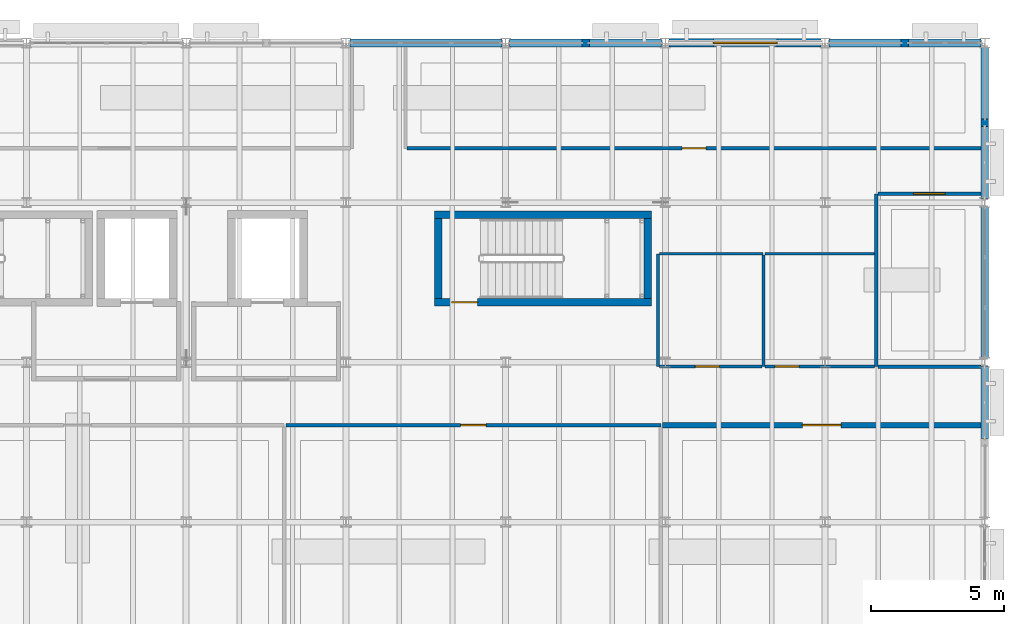
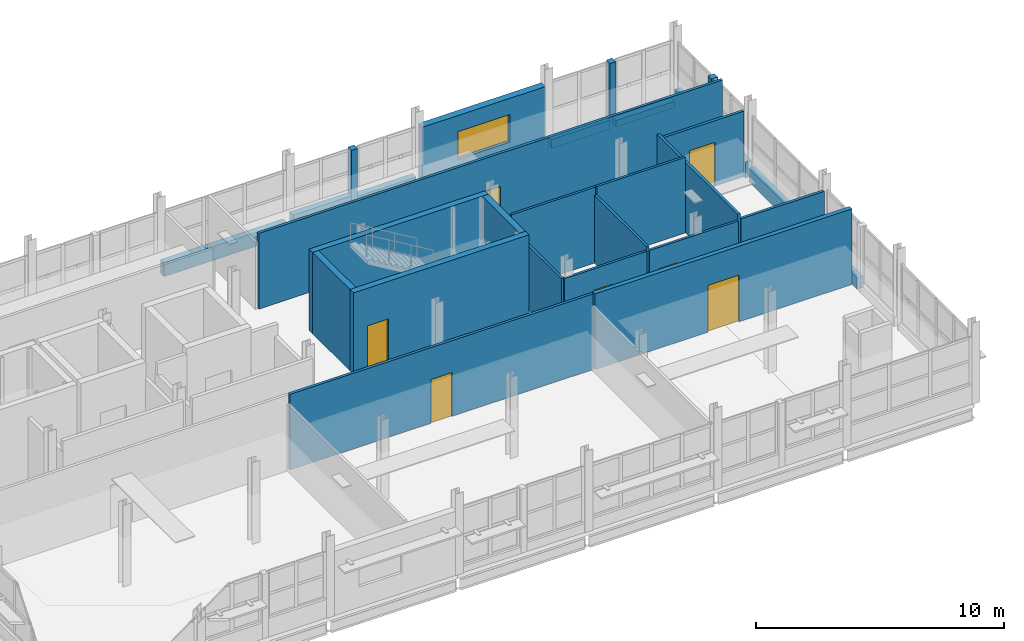
# One storey, part 78 of 92: 29 walls, 7 doors, 1 window, 8 openings.
"""IFC4 building model written with IfcOpenShell, lengths in metres."""

import ifcopenshell
import ifcopenshell.guid

model = None  # the IFC model being written
_history = None  # IfcOwnerHistory: only IFC2X3 demands one
_inside = {}  # id of a spatial element -> (the spatial element, [elements in it])
_under = {}  # id of a project, library or spatial element -> (it, [spatial elements below it])
_declared = {}  # id of a project -> (the project, [libraries it declares])
_typed = {}  # id of a type object -> (the type object, [elements of that type])
_made_of = {}  # id of a material, layer set ... -> (it, [elements and type objects made of it])


def new_model(schema):
    """Start an empty IFC model of exactly this schema.

    Asked for "IFC4X3", IfcOpenShell would pick the latest addendum, in which some entities
    have other attributes; the version numbers below select the first issue.
    IFC2X3 requires an IfcOwnerHistory on every rooted entity: one is made here for all.
    """
    global model, _history
    if schema == "IFC4X3":
        model = ifcopenshell.file(schema_version=(4, 3, 0, 0))
    else:
        model = ifcopenshell.file(schema=schema)
    _inside.clear()
    _under.clear()
    _declared.clear()
    _typed.clear()
    _made_of.clear()
    _history = None
    if model.schema == "IFC2X3":
        org = make("IfcOrganization", Name="unknown")
        user = make(
            "IfcPersonAndOrganization",
            ThePerson=make("IfcPerson", FamilyName="unknown"),
            TheOrganization=org,
        )
        app = make(
            "IfcApplication",
            ApplicationDeveloper=org,
            Version="unknown",
            ApplicationFullName="unknown",
            ApplicationIdentifier="unknown",
        )
        _history = make(
            "IfcOwnerHistory",
            OwningUser=user,
            OwningApplication=app,
            ChangeAction="ADDED",
            CreationDate=0,
        )
    return model


def make(cls, **values):
    """One entity of the class cls with the attributes given. An attribute that is None is left unset."""
    return model.create_entity(
        cls, **{name: value for name, value in values.items() if value is not None}
    )


def rooted(cls, **values):
    """An entity with a GlobalId (a new one), such as an element, a storey or a relation."""
    return make(cls, GlobalId=ifcopenshell.guid.new(), OwnerHistory=_history, **values)


def si_unit(unit_type, name, prefix=None):
    """IfcSIUnit, for example si_unit("LENGTHUNIT", "METRE", prefix="MILLI")."""
    return make("IfcSIUnit", UnitType=unit_type, Prefix=prefix, Name=name)


def assignment(units):
    """IfcUnitAssignment: the units of a project."""
    return None if units is None else make("IfcUnitAssignment", Units=units)


def point(xyz):
    """IfcCartesianPoint."""
    return None if xyz is None else make("IfcCartesianPoint", Coordinates=xyz)


def direction(xyz):
    """IfcDirection."""
    return None if xyz is None else make("IfcDirection", DirectionRatios=xyz)


def frame(location, z_axis=None, x_axis=None):
    """IfcAxis2Placement3D, a coordinate frame: its origin and axes. An axis left out is left unset."""
    return make(
        "IfcAxis2Placement3D",
        Location=point(location),
        Axis=direction(z_axis),
        RefDirection=direction(x_axis),
    )


def frame_2d(location, x_axis=None):
    """IfcAxis2Placement2D, a coordinate frame in the plane: its origin and x axis."""
    return make(
        "IfcAxis2Placement2D", Location=point(location), RefDirection=direction(x_axis)
    )


def origin():
    """The frame at (0, 0, 0) with its axes left unset."""
    return frame((0.0, 0.0, 0.0))


def place(relative_to, where):
    """IfcLocalPlacement: puts the frame where relative to a parent placement (None: the world)."""
    return make(
        "IfcLocalPlacement", PlacementRelTo=relative_to, RelativePlacement=where
    )


def context(
    kind, dimensions, precision=None, world=None, true_north=None, identifier=None
):
    """IfcGeometricRepresentationContext, for example the 3D "Model" context."""
    return make(
        "IfcGeometricRepresentationContext",
        ContextIdentifier=identifier,
        ContextType=kind,
        CoordinateSpaceDimension=dimensions,
        Precision=precision,
        WorldCoordinateSystem=world,
        TrueNorth=true_north,
    )


def subcontext(parent, identifier, kind, view, scale=None):
    """IfcGeometricRepresentationSubContext, for example "Body" below "Model"."""
    return make(
        "IfcGeometricRepresentationSubContext",
        ContextIdentifier=identifier,
        ContextType=kind,
        ParentContext=parent,
        TargetScale=scale,
        TargetView=view,
    )


def project(units=None, contexts=None):
    """IfcProject with its units and contexts."""
    return rooted(
        "IfcProject",
        Name="project",
        RepresentationContexts=contexts,
        UnitsInContext=assignment(units),
    )


def spatial(cls, under=None, at=None, **own):
    """A site, building, storey or space (cls), placed at a placement, below another one or the project."""
    s = rooted(cls, ObjectPlacement=at, **own)
    if under is not None:
        _under.setdefault(under.id(), (under, []))[1].append(s)
    return s


def profile(cls, at=None, kind="AREA", **sizes):
    """A parametric profile (cls). Its sizes go by their IFC names, for example OverallWidth=200.0."""
    return make(cls, ProfileType=kind, Position=at, **sizes)


def rectangle(**sizes):
    """IfcRectangleProfileDef."""
    return profile("IfcRectangleProfileDef", **sizes)


def extrude(swept, where, along, depth):
    """IfcExtrudedAreaSolid: the profile swept, set in the frame where, extruded along a direction by depth."""
    return make(
        "IfcExtrudedAreaSolid",
        SweptArea=swept,
        Position=where,
        ExtrudedDirection=direction(along),
        Depth=depth,
    )


def shape(context_of_items, identifier, shape_type, items):
    """IfcShapeRepresentation: the items that make up one representation, for example the "Body"."""
    return make(
        "IfcShapeRepresentation",
        ContextOfItems=context_of_items,
        RepresentationIdentifier=identifier,
        RepresentationType=shape_type,
        Items=items,
    )


def material(Name=None, Category=None):
    """IfcMaterial."""
    return make("IfcMaterial", Name=Name, Category=Category)


def layer(
    of_material, thickness, ventilated=None, Name=None, Category=None, Priority=None
):
    """IfcMaterialLayer: one layer of a wall or slab, of a material (None: an air gap)."""
    return make(
        "IfcMaterialLayer",
        Material=of_material,
        LayerThickness=thickness,
        IsVentilated=ventilated,
        Name=Name,
        Category=Category,
        Priority=Priority,
    )


def layer_set(layers, Name=None):
    """IfcMaterialLayerSet."""
    return make("IfcMaterialLayerSet", MaterialLayers=layers, LayerSetName=Name)


def made_of(thing, what):
    """Note that an element or type object is made of a material, layer set ...; save() writes the relation."""
    if what is not None:
        _made_of.setdefault(what.id(), (what, []))[1].append(thing)
    return thing


def type_object(cls, material=None, **own):
    """A type object (cls), such as IfcWallType, which elements share."""
    return made_of(rooted(cls, **own), material)


def element(
    cls,
    number,
    at=None,
    inside=None,
    cuts=None,
    type_object=None,
    material=None,
    context=None,
    identifier="Body",
    shape_type=None,
    held_by="IfcProductDefinitionShape",
    body=None,
    shapes=None,
    **own,
):
    """One element of the class cls, such as IfcWall. Its Tag is "e" and its number.

    at: its placement. inside: the storey or other place that contains it. cuts: it is an
    opening in that element (IfcRelVoidsElement). A single representation is given by context,
    identifier, shape_type and body (its items); several are given by shapes. held_by: the class
    of the entity that holds the representations. save() writes the other relations.
    """
    e = rooted(cls, Tag="e%d" % number, ObjectPlacement=at, **own)
    if body is not None:
        shapes = [shape(context, identifier, shape_type, body)]
    if shapes is not None:
        e.Representation = make(held_by, Representations=shapes)
    if inside is not None:
        _inside.setdefault(inside.id(), (inside, []))[1].append(e)
    if cuts is not None:
        rooted(
            "IfcRelVoidsElement", RelatingBuildingElement=cuts, RelatedOpeningElement=e
        )
    if type_object is not None:
        _typed.setdefault(type_object.id(), (type_object, []))[1].append(e)
    return made_of(e, material)


def fill(opening, filler):
    """IfcRelFillsElement: the door or window that sits in an opening."""
    return rooted(
        "IfcRelFillsElement",
        RelatingOpeningElement=opening,
        RelatedBuildingElement=filler,
    )


def aggregate(whole, parts):
    """IfcRelAggregates: a whole, such as a stair, and the parts it consists of."""
    return rooted("IfcRelAggregates", RelatingObject=whole, RelatedObjects=parts)


def save(model, path):
    """Write the relations noted so far, then the file.

    IfcRelAggregates (storeys below a building ...), IfcRelContainedInSpatialStructure (elements
    in a storey), IfcRelDefinesByType, IfcRelAssociatesMaterial and IfcRelDeclares: one each for
    every whole, place, type object, material and project.
    """
    for whole, parts in _under.values():
        aggregate(whole, parts)
    for where, things in _inside.values():
        rooted(
            "IfcRelContainedInSpatialStructure",
            RelatedElements=things,
            RelatingStructure=where,
        )
    for kind, things in _typed.values():
        rooted("IfcRelDefinesByType", RelatedObjects=things, RelatingType=kind)
    for what, things in _made_of.values():
        rooted("IfcRelAssociatesMaterial", RelatedObjects=things, RelatingMaterial=what)
    for by, libraries in _declared.values():
        rooted("IfcRelDeclares", RelatingContext=by, RelatedDefinitions=libraries)
    model.write(path)


model = new_model("IFC4")

# Units and contexts
model_context = context("Model", 3, precision=1e-05, world=origin(), true_north=direction((0.0, 1.0)))
body_context = subcontext(model_context, "Body", "Model", "MODEL_VIEW")
ifc_project = project(units=[si_unit("LENGTHUNIT", "METRE"), si_unit("AREAUNIT", "SQUARE_METRE"), si_unit("VOLUMEUNIT", "CUBIC_METRE"), si_unit("PLANEANGLEUNIT", "RADIAN"), si_unit("MASSUNIT", "GRAM", prefix="KILO")], contexts=[model_context])

# Site, building, storey
site_placement = place(None, origin())
site = spatial("IfcSite", under=ifc_project, at=site_placement, CompositionType="ELEMENT")
building_placement = place(site_placement, origin())
building = spatial("IfcBuilding", under=site, at=building_placement, Name="Siltcreek Boulevard Central Fire Station", CompositionType="ELEMENT")
storey_placement = place(building_placement, frame((0.0, 0.0, 6.0)))
storey = spatial("IfcBuildingStorey", under=building, at=storey_placement, Name="L02", CompositionType="ELEMENT", Elevation=6.0)

# Wall, opening, door
ifc_material_1 = material(Name="Concrete C40/50", Category="concrete")
ifc_layer_1 = layer(ifc_material_1, 0.280029296875, Name="Concrete C40/50")
ifc_layer_set_1 = layer_set([ifc_layer_1], Name="Concrete C40/50")
wall_type_1 = type_object("IfcWallType", Name="CW_SHEAR280", PredefinedType="SHEAR", material=ifc_layer_set_1)
wall_1_placement = place(storey_placement, frame((145.52001953125, 102.4599609375, 0.0), z_axis=(0.0, 0.0, 1.0), x_axis=(1.0, 0.0, 0.0)))
wall_1 = element("IfcWall", 1, at=wall_1_placement, inside=storey, type_object=wall_type_1, Name="L02 ST-V5B stair enclosure south shear wall", PredefinedType="SHEAR", context=body_context, shape_type="SweptSolid", body=[
    extrude(rectangle(XDim=8.159912109375, YDim=0.280029296875, at=frame_2d((4.080078125, 0.0))), origin(), (0.0, 0.0, 1.0), 4.0),
])
opening_1_placement = place(wall_1_placement, frame((0.64990234375, 0.0, 0.0)))
opening_1 = element("IfcOpeningElement", 2, at=opening_1_placement, cuts=wall_1, Name="Opening SD-040", PredefinedType="OPENING", context=body_context, shape_type="SweptSolid", body=[
    extrude(rectangle(XDim=0.97998046875, YDim=2.14990234375, at=frame_2d((0.489990234375, 1.074951171875))), frame((0.0, 0.14990234375, 0.0), z_axis=(0.0, -1.0, 0.0), x_axis=(1.0, 0.0, 0.0)), (0.0, 0.0, 1.0), 0.300048828125),
])
ifc_material_2 = material(Name="Hollow metal 90-min enclosed stair door")
door_type_1 = type_object("IfcDoorType", Name="DR_ST_098X215", OperationType="NOTDEFINED", PredefinedType="DOOR", material=ifc_material_2)
door_1_placement = place(opening_1_placement, origin())
door_1 = element("IfcDoor", 3, at=door_1_placement, inside=storey, type_object=door_type_1, Name="L02 ST-V5B enclosed exit stair door SD-040", OperationType="SINGLE_SWING_LEFT", OverallHeight=2.14990234375, OverallWidth=0.97998046875, PredefinedType="DOOR", context=body_context, shape_type="SweptSolid", body=[
    extrude(rectangle(XDim=0.97998046875, YDim=2.14990234375, at=frame_2d((0.489990234375, 1.074951171875))), frame((0.0, 0.02490234375, 0.0), z_axis=(0.0, -1.0, 0.0), x_axis=(1.0, 0.0, 0.0)), (0.0, 0.0, 1.0), 0.050048828125),
])
fill(opening_1, door_1)

# Walls
wall_2_placement = place(storey_placement, frame((153.679931640625, 105.739990234375, 0.0), z_axis=(0.0, 0.0, 1.0), x_axis=(-1.0, 0.0, 0.0)))
element("IfcWall", 4, at=wall_2_placement, inside=storey, type_object=wall_type_1, Name="L02 ST-V5B stair enclosure north shear wall", PredefinedType="SHEAR", context=body_context, shape_type="SweptSolid", body=[
    extrude(rectangle(XDim=8.159912109375, YDim=0.280029296875, at=frame_2d((4.080078125, 0.0))), origin(), (0.0, 0.0, 1.0), 4.0),
])
for number, where, z_axis, x_axis, name in (
    (5, (145.659912109375, 105.60009765625, 0.0), (0.0, 0.0, 1.0), (0.0, -1.0, 0.0), "L02 ST-V5B stair enclosure west shear wall"),
    (6, (153.5400390625, 102.60009765625, 0.0), (0.0, 0.0, 1.0), (0.0, 1.0, 0.0), "L02 ST-V5B stair enclosure east shear wall"),
):
    element("IfcWall", number, at=place(storey_placement, frame(where, z_axis=z_axis, x_axis=x_axis)), inside=storey, type_object=wall_type_1, Name=name, PredefinedType="SHEAR", context=body_context, shape_type="SweptSolid", body=[
        extrude(rectangle(XDim=3.0, YDim=0.280029296875, at=frame_2d((1.5, 0.0))), origin(), (0.0, 0.0, 1.0), 4.0),
    ])
ifc_material_3 = material(Name="White ribbed aluminum spandrel wall", Category="aluminium")
ifc_layer_2 = layer(ifc_material_3, 0.2900390625, Name="White ribbed aluminum spandrel wall")
ifc_layer_set_2 = layer_set([ifc_layer_2], Name="White ribbed aluminum spandrel wall")
wall_type_2 = type_object("IfcWallType", Name="EW_METAL290", PredefinedType="STANDARD", material=ifc_layer_set_2)
wall_3_placement = place(storey_placement, frame((148.054931640625, 112.199951171875, 0.0), z_axis=(0.0, 0.0, 1.0), x_axis=(-1.0, 0.0, 0.0)))
element("IfcWall", 7, at=wall_3_placement, inside=storey, type_object=wall_type_2, Name="L02 V5 curtain-wall sill spandrel 0349", PredefinedType="STANDARD", context=body_context, shape_type="SweptSolid", body=[
    extrude(rectangle(XDim=5.7099609375, YDim=0.2900390625, at=frame_2d((2.85498046875, 0.0))), origin(), (0.0, 0.0, 1.0), 0.679931640625),
])
wall_4_placement = place(storey_placement, frame((151.340087890625, 112.199951171875, 0.0), z_axis=(0.0, 0.0, 1.0), x_axis=(-1.0, 0.0, 0.0)))
element("IfcWall", 8, at=wall_4_placement, inside=storey, type_object=wall_type_2, Name="L02 V5 facade pier 0350", PredefinedType="STANDARD", context=body_context, shape_type="SweptSolid", body=[
    extrude(rectangle(XDim=0.280029296875, YDim=0.2900390625, at=frame_2d((0.14013671875, 0.0))), origin(), (0.0, 0.0, 1.0), 3.153076171875),
])
wall_5_placement = place(storey_placement, frame((154.054931640625, 112.199951171875, 0.0), z_axis=(0.0, 0.0, 1.0), x_axis=(-1.0, 0.0, 0.0)))
element("IfcWall", 9, at=wall_5_placement, inside=storey, type_object=wall_type_2, Name="L02 V5 curtain-wall sill spandrel 0351", PredefinedType="STANDARD", context=body_context, shape_type="SweptSolid", body=[
    extrude(rectangle(XDim=2.71484375, YDim=0.2900390625, at=frame_2d((1.357421875, 0.0))), origin(), (0.0, 0.0, 1.0), 0.800048828125),
])
wall_6_placement = place(storey_placement, frame((151.06005859375, 112.199951171875, 0.0), z_axis=(0.0, 0.0, 1.0), x_axis=(-1.0, 0.0, 0.0)))
element("IfcWall", 10, at=wall_6_placement, inside=storey, type_object=wall_type_2, Name="L02 V5 curtain-wall sill spandrel 0352", PredefinedType="STANDARD", context=body_context, shape_type="SweptSolid", body=[
    extrude(rectangle(XDim=2.715087890625, YDim=0.2900390625, at=frame_2d((1.357421875, 0.0))), origin(), (0.0, 0.0, 1.0), 0.919921875),
])
wall_7_placement = place(storey_placement, frame((163.340087890625, 112.199951171875, 0.0), z_axis=(0.0, 0.0, 1.0), x_axis=(-1.0, 0.0, 0.0)))
element("IfcWall", 11, at=wall_7_placement, inside=storey, type_object=wall_type_2, Name="L02 V5 facade pier 0354", PredefinedType="STANDARD", context=body_context, shape_type="SweptSolid", body=[
    extrude(rectangle(XDim=0.280029296875, YDim=0.2900390625, at=frame_2d((0.14013671875, 0.0))), origin(), (0.0, 0.0, 1.0), 3.222900390625),
])
wall_8_placement = place(storey_placement, frame((166.054931640625, 112.199951171875, 0.0), z_axis=(0.0, 0.0, 1.0), x_axis=(-1.0, 0.0, 0.0)))
element("IfcWall", 12, at=wall_8_placement, inside=storey, type_object=wall_type_2, Name="L02 V5 curtain-wall sill spandrel 0355", PredefinedType="STANDARD", context=body_context, shape_type="SweptSolid", body=[
    extrude(rectangle(XDim=2.71484375, YDim=0.2900390625, at=frame_2d((1.357421875, 0.0))), origin(), (0.0, 0.0, 1.0), 0.320068359375),
])
wall_9_placement = place(storey_placement, frame((163.06005859375, 112.199951171875, 0.0), z_axis=(0.0, 0.0, 1.0), x_axis=(-1.0, 0.0, 0.0)))
element("IfcWall", 13, at=wall_9_placement, inside=storey, type_object=wall_type_2, Name="L02 V5 curtain-wall sill spandrel 0356", PredefinedType="STANDARD", context=body_context, shape_type="SweptSolid", body=[
    extrude(rectangle(XDim=2.715087890625, YDim=0.2900390625, at=frame_2d((1.357421875, 0.0))), origin(), (0.0, 0.0, 1.0), 0.43994140625),
])
wall_10_placement = place(storey_placement, frame((166.199951171875, 97.340087890625, 0.0), z_axis=(0.0, 0.0, 1.0), x_axis=(0.0, 1.0, 0.0)))
element("IfcWall", 14, at=wall_10_placement, inside=storey, type_object=wall_type_2, Name="L02 V5 curtain-wall sill spandrel 0366", PredefinedType="STANDARD", context=body_context, shape_type="SweptSolid", body=[
    extrude(rectangle(XDim=2.71484375, YDim=0.2900390625, at=frame_2d((1.357421875, 0.0))), origin(), (0.0, 0.0, 1.0), 0.56005859375),
])
wall_11_placement = place(storey_placement, frame((166.199951171875, 100.344970703125, 0.0), z_axis=(0.0, 0.0, 1.0), x_axis=(0.0, 1.0, 0.0)))
element("IfcWall", 15, at=wall_11_placement, inside=storey, type_object=wall_type_2, Name="L02 V5 curtain-wall sill spandrel 0367", PredefinedType="STANDARD", context=body_context, shape_type="SweptSolid", body=[
    extrude(rectangle(XDim=5.7099609375, YDim=0.2900390625, at=frame_2d((2.85498046875, 0.0))), origin(), (0.0, 0.0, 1.0), 0.679931640625),
])
wall_12_placement = place(storey_placement, frame((166.199951171875, 109.06005859375, 0.0), z_axis=(0.0, 0.0, 1.0), x_axis=(0.0, 1.0, 0.0)))
element("IfcWall", 16, at=wall_12_placement, inside=storey, type_object=wall_type_2, Name="L02 V5 facade pier 0368", PredefinedType="STANDARD", context=body_context, shape_type="SweptSolid", body=[
    extrude(rectangle(XDim=0.280029296875, YDim=0.2900390625, at=frame_2d((0.14013671875, 0.0))), origin(), (0.0, 0.0, 1.0), 3.22705078125),
])
wall_13_placement = place(storey_placement, frame((166.199951171875, 106.344970703125, 0.0), z_axis=(0.0, 0.0, 1.0), x_axis=(0.0, 1.0, 0.0)))
element("IfcWall", 17, at=wall_13_placement, inside=storey, type_object=wall_type_2, Name="L02 V5 curtain-wall sill spandrel 0369", PredefinedType="STANDARD", context=body_context, shape_type="SweptSolid", body=[
    extrude(rectangle(XDim=2.715087890625, YDim=0.2900390625, at=frame_2d((1.357421875, 0.0))), origin(), (0.0, 0.0, 1.0), 0.800048828125),
])
wall_14_placement = place(storey_placement, frame((166.199951171875, 109.340087890625, 0.0), z_axis=(0.0, 0.0, 1.0), x_axis=(0.0, 1.0, 0.0)))
element("IfcWall", 18, at=wall_14_placement, inside=storey, type_object=wall_type_2, Name="L02 V5 curtain-wall sill spandrel 0370", PredefinedType="STANDARD", context=body_context, shape_type="SweptSolid", body=[
    extrude(rectangle(XDim=2.71484375, YDim=0.2900390625, at=frame_2d((1.357421875, 0.0))), origin(), (0.0, 0.0, 1.0), 0.919921875),
])

# Wall, opening, window
ifc_material_4 = material(Name="White ribbed aluminum insulated rainscreen panel", Category="aluminium")
ifc_layer_3 = layer(ifc_material_4, 0.320068359375, Name="White ribbed aluminum insulated rainscreen panel")
ifc_layer_set_3 = layer_set([ifc_layer_3], Name="White ribbed aluminum insulated rainscreen panel")
wall_type_3 = type_object("IfcWallType", Name="EW_METAL320", PredefinedType="STANDARD", material=ifc_layer_set_3)
wall_15_placement = place(storey_placement, frame((160.054931640625, 112.199951171875, 0.0), z_axis=(0.0, 0.0, 1.0), x_axis=(-1.0, 0.0, 0.0)))
wall_15 = element("IfcWall", 19, at=wall_15_placement, inside=storey, type_object=wall_type_3, Name="L02 V5 exterior insulated rainscreen wall WL-EXT-L02-0353", PredefinedType="STANDARD", context=body_context, shape_type="SweptSolid", body=[
    extrude(rectangle(XDim=5.7099609375, YDim=0.320068359375, at=frame_2d((2.85498046875, 0.0))), origin(), (0.0, 0.0, 1.0), 3.153076171875),
])
opening_2_placement = place(wall_15_placement, frame((1.655029296875, 0.0, 1.0)))
opening_2 = element("IfcOpeningElement", 20, at=opening_2_placement, cuts=wall_15, Name="Opening WN11", PredefinedType="OPENING", context=body_context, shape_type="SweptSolid", body=[
    extrude(rectangle(XDim=2.39990234375, YDim=1.360107421875, at=frame_2d((1.199951171875, 0.68017578125))), frame((0.0, 0.169921875, 0.0), z_axis=(0.0, -1.0, 0.0), x_axis=(1.0, 0.0, 0.0)), (0.0, 0.0, 1.0), 0.340087890625),
])
ifc_material_5 = material(Name="Thermally broken aluminum frame with low-E insulated glass", Category="aluminium")
window_type = type_object("IfcWindowType", Name="WN_PB_240X136", PartitioningType="SINGLE_PANEL", PredefinedType="WINDOW", material=ifc_material_5)
window_placement = place(opening_2_placement, origin())
window = element("IfcWindow", 21, at=window_placement, inside=storey, type_object=window_type, Name="L02 V5 exterior window WN-0152", OverallHeight=1.360107421875, OverallWidth=2.39990234375, PartitioningType="SINGLE_PANEL", PredefinedType="WINDOW", context=body_context, shape_type="SweptSolid", body=[
    extrude(rectangle(XDim=2.39990234375, YDim=1.360107421875, at=frame_2d((1.199951171875, 0.68017578125))), frame((0.0, 0.030029296875, 0.0), z_axis=(0.0, -1.0, 0.0), x_axis=(1.0, 0.0, 0.0)), (0.0, 0.0, 1.0), 0.06005859375),
])
fill(opening_2, window)

# Wall, opening, door
ifc_material_6 = material(Name="Fire-rated concrete masonry and gypsum barrier", Category="masonry")
ifc_layer_4 = layer(ifc_material_6, 0.199951171875, Name="Fire-rated concrete masonry and gypsum barrier")
ifc_layer_set_4 = layer_set([ifc_layer_4], Name="Fire-rated concrete masonry and gypsum barrier")
wall_type_4 = type_object("IfcWallType", Name="IW_FIRE200", PredefinedType="PARTITIONING", material=ifc_layer_set_4)
wall_16_placement = place(storey_placement, frame((154.092529296875, 97.840087890625, 0.0), z_axis=(0.0, 0.0, 1.0), x_axis=(1.0, 0.0, 0.0)))
wall_16 = element("IfcWall", 22, at=wall_16_placement, inside=storey, type_object=wall_type_4, Name="L02 Fire Marshal Investigation Office partition 0165", PredefinedType="PARTITIONING", context=body_context, shape_type="SweptSolid", body=[
    extrude(rectangle(XDim=11.96240234375, YDim=0.199951171875, at=frame_2d((5.981201171875, 0.0))), origin(), (0.0, 0.0, 1.0), 3.719970703125),
])
opening_3_placement = place(wall_16_placement, frame((5.251220703125, 0.0, 0.0)))
opening_3 = element("IfcOpeningElement", 23, at=opening_3_placement, cuts=wall_16, Name="Opening ID11", PredefinedType="OPENING", context=body_context, shape_type="SweptSolid", body=[
    extrude(rectangle(XDim=1.4599609375, YDim=2.300048828125, at=frame_2d((0.72998046875, 1.14990234375))), frame((0.0, 0.10986328125, 0.0), z_axis=(0.0, -1.0, 0.0), x_axis=(1.0, 0.0, 0.0)), (0.0, 0.0, 1.0), 0.219970703125),
])
ifc_material_7 = material(Name="Hollow metal mechanical plant double-wide door")
door_type_2 = type_object("IfcDoorType", Name="DR_PLT_146X230", OperationType="NOTDEFINED", PredefinedType="DOOR", material=ifc_material_7)
door_2_placement = place(opening_3_placement, frame((1.4599609375, 0.0, 0.0), z_axis=(0.0, 0.0, 1.0), x_axis=(-1.0, 0.0, 0.0)))
door_2 = element("IfcDoor", 24, at=door_2_placement, inside=storey, type_object=door_type_2, Name="L02 Fire Marshal Investigation Office door ID-0076", OperationType="SINGLE_SWING_LEFT", OverallHeight=2.300048828125, OverallWidth=1.4599609375, PredefinedType="DOOR", context=body_context, shape_type="SweptSolid", body=[
    extrude(rectangle(XDim=1.4599609375, YDim=2.300048828125, at=frame_2d((0.72998046875, 1.14990234375))), frame((0.0, 0.02490234375, 0.0), z_axis=(0.0, -1.0, 0.0), x_axis=(1.0, 0.0, 0.0)), (0.0, 0.0, 1.0), 0.050048828125),
])
fill(opening_3, door_2)

ifc_material_8 = material(Name="Interior steel stud gypsum partition", Category="steel")
ifc_layer_5 = layer(ifc_material_8, 0.125, Name="Interior steel stud gypsum partition")
ifc_layer_set_5 = layer_set([ifc_layer_5], Name="Interior steel stud gypsum partition")
wall_type_5 = type_object("IfcWallType", Name="IW_PART125", PredefinedType="PARTITIONING", material=ifc_layer_set_5)
wall_17_placement = place(storey_placement, frame((139.9423828125, 97.840087890625, 0.0), z_axis=(0.0, 0.0, 1.0), x_axis=(1.0, 0.0, 0.0)))
wall_17 = element("IfcWall", 25, at=wall_17_placement, inside=storey, type_object=wall_type_5, Name="L02 Logistics and Fleet Planning Office partition 0163", PredefinedType="PARTITIONING", context=body_context, shape_type="SweptSolid", body=[
    extrude(rectangle(XDim=14.090087890625, YDim=0.125, at=frame_2d((7.044921875, 0.0))), origin(), (0.0, 0.0, 1.0), 3.719970703125),
])
opening_4_placement = place(wall_17_placement, frame((6.56494140625, 0.0, 0.0)))
opening_4 = element("IfcOpeningElement", 26, at=opening_4_placement, cuts=wall_17, Name="Opening ID02", PredefinedType="OPENING", context=body_context, shape_type="SweptSolid", body=[
    extrude(rectangle(XDim=0.9599609375, YDim=2.14990234375, at=frame_2d((0.47998046875, 1.074951171875))), frame((0.0, 0.072509765625, 0.0), z_axis=(0.0, -1.0, 0.0), x_axis=(1.0, 0.0, 0.0)), (0.0, 0.0, 1.0), 0.14501953125),
])
ifc_material_9 = material(Name="Solid-core timber headquarters office door", Category="wood")
door_type_3 = type_object("IfcDoorType", Name="DR_OFF_096X215", OperationType="NOTDEFINED", PredefinedType="DOOR", material=ifc_material_9)
door_3_placement = place(opening_4_placement, frame((0.9599609375, 0.0, 0.0), z_axis=(0.0, 0.0, 1.0), x_axis=(-1.0, 0.0, 0.0)))
door_3 = element("IfcDoor", 27, at=door_3_placement, inside=storey, type_object=door_type_3, Name="L02 Logistics and Fleet Planning Office door ID-0075", OperationType="SINGLE_SWING_RIGHT", OverallHeight=2.14990234375, OverallWidth=0.9599609375, PredefinedType="DOOR", context=body_context, shape_type="SweptSolid", body=[
    extrude(rectangle(XDim=0.9599609375, YDim=2.14990234375, at=frame_2d((0.47998046875, 1.074951171875))), frame((0.0, 0.02490234375, 0.0), z_axis=(0.0, -1.0, 0.0), x_axis=(1.0, 0.0, 0.0)), (0.0, 0.0, 1.0), 0.050048828125),
])
fill(opening_4, door_3)

wall_18_placement = place(storey_placement, frame((166.054931640625, 108.239990234375, 0.0), z_axis=(0.0, 0.0, 1.0), x_axis=(-1.0, 0.0, 0.0)))
wall_18 = element("IfcWall", 28, at=wall_18_placement, inside=storey, type_object=wall_type_5, Name="L02 Special Operations Planning Office partition 0169", PredefinedType="PARTITIONING", context=body_context, shape_type="SweptSolid", body=[
    extrude(rectangle(XDim=21.552490234375, YDim=0.125, at=frame_2d((10.7763671875, 0.0))), origin(), (0.0, 0.0, 1.0), 3.719970703125),
])
opening_5_placement = place(wall_18_placement, frame((10.326416015625, 0.0, 0.0)))
opening_5 = element("IfcOpeningElement", 29, at=opening_5_placement, cuts=wall_18, Name="Opening ID08", PredefinedType="OPENING", context=body_context, shape_type="SweptSolid", body=[
    extrude(rectangle(XDim=0.89990234375, YDim=2.10009765625, at=frame_2d((0.449951171875, 1.050048828125))), frame((0.0, 0.072509765625, 0.0), z_axis=(0.0, -1.0, 0.0), x_axis=(1.0, 0.0, 0.0)), (0.0, 0.0, 1.0), 0.14501953125),
])
ifc_material_10 = material(Name="Moisture-resistant accessible toilet door")
door_type_4 = type_object("IfcDoorType", Name="DR_WC_090X210", OperationType="NOTDEFINED", PredefinedType="DOOR", material=ifc_material_10)
door_4_placement = place(opening_5_placement, frame((0.89990234375, 0.0, 0.0), z_axis=(0.0, 0.0, 1.0), x_axis=(-1.0, 0.0, 0.0)))
door_4 = element("IfcDoor", 30, at=door_4_placement, inside=storey, type_object=door_type_4, Name="L02 Special Operations Planning Office door ID-0078", OperationType="SINGLE_SWING_LEFT", OverallHeight=2.10009765625, OverallWidth=0.89990234375, PredefinedType="DOOR", context=body_context, shape_type="SweptSolid", body=[
    extrude(rectangle(XDim=0.89990234375, YDim=2.10009765625, at=frame_2d((0.449951171875, 1.050048828125))), frame((0.0, 0.02490234375, 0.0), z_axis=(0.0, -1.0, 0.0), x_axis=(1.0, 0.0, 0.0)), (0.0, 0.0, 1.0), 0.050048828125),
])
fill(opening_5, door_4)

# Wall
wall_19_placement = place(storey_placement, frame((162.1201171875, 100.03759765625, 0.0), z_axis=(0.0, 0.0, 1.0), x_axis=(0.0, 1.0, 0.0)))
element("IfcWall", 31, at=wall_19_placement, inside=storey, type_object=wall_type_5, Name="L02 Administrative Copy and Records Room partition 0174", PredefinedType="PARTITIONING", context=body_context, shape_type="SweptSolid", body=[
    extrude(rectangle(XDim=6.494873046875, YDim=0.125, at=frame_2d((3.24755859375, 0.0))), origin(), (0.0, 0.0, 1.0), 3.448974609375),
])

# Wall, opening, door
wall_20_placement = place(storey_placement, frame((162.1826171875, 106.530029296875, 0.0), z_axis=(0.0, 0.0, 1.0), x_axis=(1.0, 0.0, 0.0)))
wall_20 = element("IfcWall", 32, at=wall_20_placement, inside=storey, type_object=wall_type_5, Name="L02 Administrative Copy and Records Room partition 0175", PredefinedType="PARTITIONING", context=body_context, shape_type="SweptSolid", body=[
    extrude(rectangle(XDim=3.872314453125, YDim=0.125, at=frame_2d((1.93603515625, 0.0))), origin(), (0.0, 0.0, 1.0), 3.222900390625),
])
opening_6_placement = place(wall_20_placement, frame((1.34619140625, 0.0, 0.0)))
opening_6 = element("IfcOpeningElement", 33, at=opening_6_placement, cuts=wall_20, Name="Opening ID13", PredefinedType="OPENING", context=body_context, shape_type="SweptSolid", body=[
    extrude(rectangle(XDim=1.179931640625, YDim=2.159912109375, at=frame_2d((0.58984375, 1.080078125))), frame((0.0, 0.072509765625, 0.0), z_axis=(0.0, -1.0, 0.0), x_axis=(1.0, 0.0, 0.0)), (0.0, 0.0, 1.0), 0.14501953125),
])
ifc_material_11 = material(Name="Antimicrobial walk-in triage door")
door_type_5 = type_object("IfcDoorType", Name="DR_MED_118X216", OperationType="NOTDEFINED", PredefinedType="DOOR", material=ifc_material_11)
door_5_placement = place(opening_6_placement, frame((1.179931640625, 0.0, 0.0), z_axis=(0.0, 0.0, 1.0), x_axis=(-1.0, 0.0, 0.0)))
door_5 = element("IfcDoor", 34, at=door_5_placement, inside=storey, type_object=door_type_5, Name="L02 Administrative Copy and Records Room door ID-0080", OperationType="SINGLE_SWING_LEFT", OverallHeight=2.159912109375, OverallWidth=1.179931640625, PredefinedType="DOOR", context=body_context, shape_type="SweptSolid", body=[
    extrude(rectangle(XDim=1.179931640625, YDim=2.159912109375, at=frame_2d((0.58984375, 1.080078125))), frame((0.0, 0.02490234375, 0.0), z_axis=(0.0, -1.0, 0.0), x_axis=(1.0, 0.0, 0.0)), (0.0, 0.0, 1.0), 0.050048828125),
])
fill(opening_6, door_5)

# Walls
wall_21_placement = place(storey_placement, frame((166.054931640625, 100.0400390625, 0.0), z_axis=(0.0, 0.0, 1.0), x_axis=(-1.0, 0.0, 0.0)))
element("IfcWall", 35, at=wall_21_placement, inside=storey, type_object=wall_type_5, Name="L02 Administrative Copy and Records Room partition 0176", PredefinedType="PARTITIONING", context=body_context, shape_type="SweptSolid", body=[
    extrude(rectangle(XDim=3.872314453125, YDim=0.125, at=frame_2d((1.93603515625, 0.0))), origin(), (0.0, 0.0, 1.0), 3.222900390625),
])
ifc_material_12 = material(Name="Moisture-resistant tile backer toilet partition", Category="gypsum")
ifc_layer_6 = layer(ifc_material_12, 0.110107421875, Name="Moisture-resistant tile backer toilet partition")
ifc_layer_set_6 = layer_set([ifc_layer_6], Name="Moisture-resistant tile backer toilet partition")
wall_type_6 = type_object("IfcWallType", Name="IW_WET110", PredefinedType="PARTITIONING", material=ifc_layer_set_6)
wall_22_placement = place(storey_placement, frame((153.919921875, 100.044921875, 0.0), z_axis=(0.0, 0.0, 1.0), x_axis=(0.0, 1.0, 0.0)))
element("IfcWall", 36, at=wall_22_placement, inside=storey, type_object=wall_type_6, Name="L02 Headquarters Staff Toilet L02 partition 0170", PredefinedType="PARTITIONING", context=body_context, shape_type="SweptSolid", body=[
    extrude(rectangle(XDim=4.22998046875, YDim=0.110107421875, at=frame_2d((2.114990234375, 0.0))), origin(), (0.0, 0.0, 1.0), 3.156982421875),
])
wall_23_placement = place(storey_placement, frame((153.97509765625, 104.280029296875, 0.0), z_axis=(0.0, 0.0, 1.0), x_axis=(1.0, 0.0, 0.0)))
element("IfcWall", 37, at=wall_23_placement, inside=storey, type_object=wall_type_6, Name="L02 Headquarters Staff Toilet L02 partition 0171", PredefinedType="PARTITIONING", context=body_context, shape_type="SweptSolid", body=[
    extrude(rectangle(XDim=3.89990234375, YDim=0.110107421875, at=frame_2d((1.949951171875, 0.0))), origin(), (0.0, 0.0, 1.0), 3.719970703125),
])
wall_24_placement = place(storey_placement, frame((157.8798828125, 104.22509765625, 0.0), z_axis=(0.0, 0.0, 1.0), x_axis=(0.0, -1.0, 0.0)))
element("IfcWall", 38, at=wall_24_placement, inside=storey, type_object=wall_type_6, Name="L02 Headquarters Staff Toilet L02 partition 0172", PredefinedType="PARTITIONING", context=body_context, shape_type="SweptSolid", body=[
    extrude(rectangle(XDim=4.18017578125, YDim=0.110107421875, at=frame_2d((2.090087890625, 0.0))), origin(), (0.0, 0.0, 1.0), 3.333984375),
])

# Wall, opening, door
wall_25_placement = place(storey_placement, frame((157.824951171875, 100.0400390625, 0.0), z_axis=(0.0, 0.0, 1.0), x_axis=(-1.0, 0.0, 0.0)))
wall_25 = element("IfcWall", 39, at=wall_25_placement, inside=storey, type_object=wall_type_6, Name="L02 Headquarters Staff Toilet L02 partition 0173", PredefinedType="PARTITIONING", context=body_context, shape_type="SweptSolid", body=[
    extrude(rectangle(XDim=3.849853515625, YDim=0.110107421875, at=frame_2d((1.9248046875, 0.0))), origin(), (0.0, 0.0, 1.0), 3.153076171875),
])
opening_7_placement = place(wall_25_placement, frame((1.594482421875, 0.0, 0.0)))
opening_7 = element("IfcOpeningElement", 40, at=opening_7_placement, cuts=wall_25, Name="Opening ID08", PredefinedType="OPENING", context=body_context, shape_type="SweptSolid", body=[
    extrude(rectangle(XDim=0.89990234375, YDim=2.10009765625, at=frame_2d((0.449951171875, 1.050048828125))), frame((0.0, 0.06494140625, 0.0), z_axis=(0.0, -1.0, 0.0), x_axis=(1.0, 0.0, 0.0)), (0.0, 0.0, 1.0), 0.130126953125),
])
door_6_placement = place(opening_7_placement, frame((0.89990234375, 0.0, 0.0), z_axis=(0.0, 0.0, 1.0), x_axis=(-1.0, 0.0, 0.0)))
door_6 = element("IfcDoor", 41, at=door_6_placement, inside=storey, type_object=door_type_4, Name="L02 Headquarters Staff Toilet L02 door ID-0079", OperationType="SINGLE_SWING_RIGHT", OverallHeight=2.10009765625, OverallWidth=0.89990234375, PredefinedType="DOOR", context=body_context, shape_type="SweptSolid", body=[
    extrude(rectangle(XDim=0.89990234375, YDim=2.10009765625, at=frame_2d((0.449951171875, 1.050048828125))), frame((0.0, 0.02490234375, 0.0), z_axis=(0.0, -1.0, 0.0), x_axis=(1.0, 0.0, 0.0)), (0.0, 0.0, 1.0), 0.050048828125),
])
fill(opening_7, door_6)

# Wall
wall_26_placement = place(storey_placement, frame((157.93505859375, 104.280029296875, 0.0), z_axis=(0.0, 0.0, 1.0), x_axis=(1.0, 0.0, 0.0)))
element("IfcWall", 42, at=wall_26_placement, inside=storey, type_object=wall_type_6, Name="L02 Headquarters Accessible Toilet L02 partition 0177", PredefinedType="PARTITIONING", context=body_context, shape_type="SweptSolid", body=[
    extrude(rectangle(XDim=4.12255859375, YDim=0.110107421875, at=frame_2d((2.061279296875, 0.0))), origin(), (0.0, 0.0, 1.0), 3.719970703125),
])

# Wall, opening, door
wall_27_placement = place(storey_placement, frame((162.0576171875, 100.0400390625, 0.0), z_axis=(0.0, 0.0, 1.0), x_axis=(-1.0, 0.0, 0.0)))
wall_27 = element("IfcWall", 43, at=wall_27_placement, inside=storey, type_object=wall_type_6, Name="L02 Headquarters Accessible Toilet L02 partition 0178", PredefinedType="PARTITIONING", context=body_context, shape_type="SweptSolid", body=[
    extrude(rectangle(XDim=4.12255859375, YDim=0.110107421875, at=frame_2d((2.061279296875, 0.0))), origin(), (0.0, 0.0, 1.0), 3.153076171875),
])
opening_8_placement = place(wall_27_placement, frame((2.839111328125, 0.0, 0.0)))
opening_8 = element("IfcOpeningElement", 44, at=opening_8_placement, cuts=wall_27, Name="Opening ID08", PredefinedType="OPENING", context=body_context, shape_type="SweptSolid", body=[
    extrude(rectangle(XDim=0.89990234375, YDim=2.10009765625, at=frame_2d((0.449951171875, 1.050048828125))), frame((0.0, 0.06494140625, 0.0), z_axis=(0.0, -1.0, 0.0), x_axis=(1.0, 0.0, 0.0)), (0.0, 0.0, 1.0), 0.130126953125),
])
door_7_placement = place(opening_8_placement, frame((0.89990234375, 0.0, 0.0), z_axis=(0.0, 0.0, 1.0), x_axis=(-1.0, 0.0, 0.0)))
door_7 = element("IfcDoor", 45, at=door_7_placement, inside=storey, type_object=door_type_4, Name="L02 Headquarters Accessible Toilet L02 door ID-0081", OperationType="SINGLE_SWING_RIGHT", OverallHeight=2.10009765625, OverallWidth=0.89990234375, PredefinedType="DOOR", context=body_context, shape_type="SweptSolid", body=[
    extrude(rectangle(XDim=0.89990234375, YDim=2.10009765625, at=frame_2d((0.449951171875, 1.050048828125))), frame((0.0, 0.02490234375, 0.0), z_axis=(0.0, -1.0, 0.0), x_axis=(1.0, 0.0, 0.0)), (0.0, 0.0, 1.0), 0.050048828125),
])
fill(opening_8, door_7)

save(model, "model.ifc")
